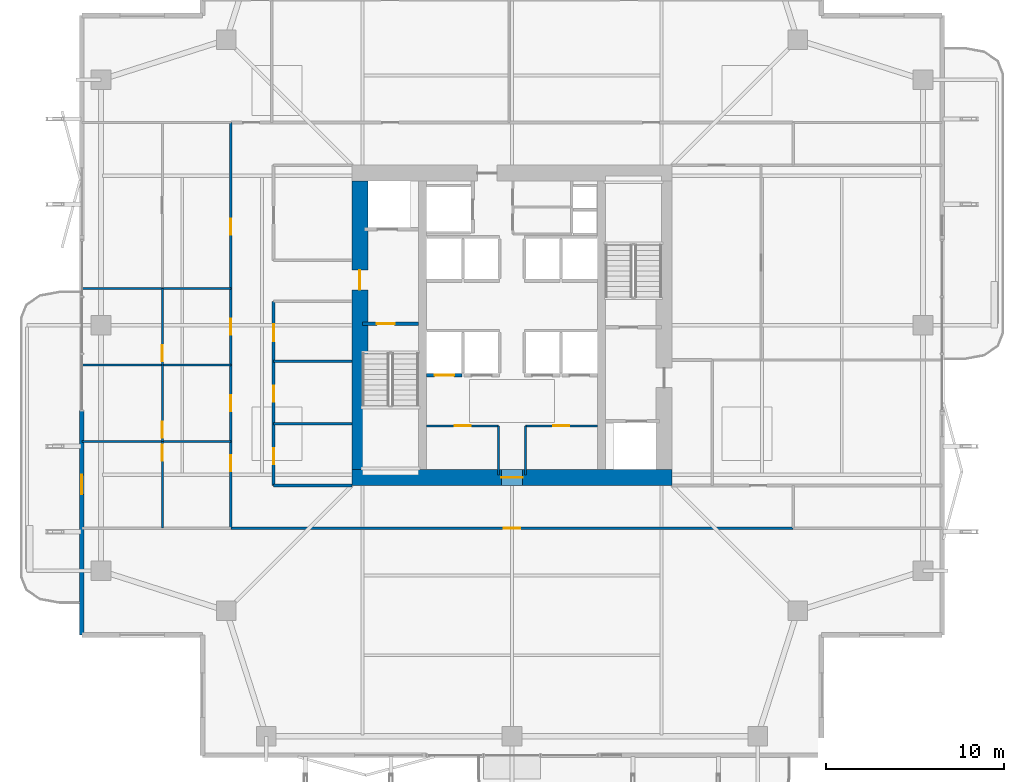
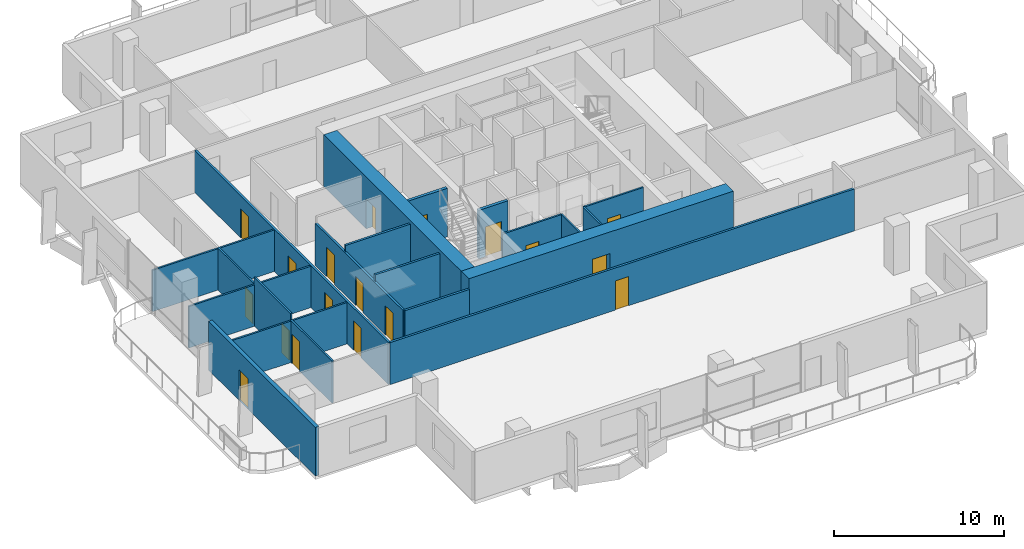
# One storey, part 18 of 25: 21 walls, 18 doors, 18 openings.
"""IFC4 building model written with IfcOpenShell, lengths in metres."""

from ifc_helpers import new_model, si_unit, direction, frame, frame_2d, origin, place, context, subcontext, project, spatial, rectangle, extrude, material, layer, layer_set, type_object, element, fill, save


model = new_model("IFC4")

# Units and contexts
model_context = context("Model", 3, precision=1e-05, world=origin(), true_north=direction((0.0, 1.0)))
body_context = subcontext(model_context, "Body", "Model", "MODEL_VIEW")
ifc_project = project(units=[si_unit("LENGTHUNIT", "METRE"), si_unit("AREAUNIT", "SQUARE_METRE"), si_unit("VOLUMEUNIT", "CUBIC_METRE"), si_unit("PLANEANGLEUNIT", "RADIAN"), si_unit("MASSUNIT", "GRAM", prefix="KILO")], contexts=[model_context])

# Site, building, storey
site_placement = place(None, origin())
site = spatial("IfcSite", under=ifc_project, at=site_placement, CompositionType="ELEMENT")
building_placement = place(site_placement, origin())
building = spatial("IfcBuilding", under=site, at=building_placement, Name="Belovzor Exchange Tower", CompositionType="ELEMENT")
storey_placement = place(building_placement, frame((0.0, 0.0, 153.300048828125)))
storey = spatial("IfcBuildingStorey", under=building, at=storey_placement, Name="L37", CompositionType="ELEMENT", Elevation=153.300048828125)

# Wall, opening, door
ifc_material_1 = material(Name="Acoustic Plasterboard on Galvanised Studs", Category="gypsum")
ifc_layer_1 = layer(ifc_material_1, 0.1201171875)
ifc_layer_set_1 = layer_set([ifc_layer_1], Name="Acoustic Plasterboard on Galvanised Studs")
wall_type_1 = type_object("IfcWallType", Name="Acoustic Double-Stud Partition Wall 120", PredefinedType="PARTITIONING", material=ifc_layer_set_1)
wall_1_placement = place(storey_placement, frame((9.14990234375, 17.39990234375, 0.0), z_axis=(0.0, 0.0, 1.0), x_axis=(0.0, 1.0, 0.0)))
wall_1 = element("IfcWall", 1, at=wall_1_placement, inside=storey, type_object=wall_type_1, Name="W-P120 Partition Wall W-L37-WHDIV-0", PredefinedType="PARTITIONING", context=body_context, shape_type="SweptSolid", body=[
    extrude(rectangle(XDim=4.882080078125, YDim=0.1201171875, at=frame_2d((2.44091796875, 0.0))), origin(), (0.0, 0.0, 1.0), 3.030029296875),
])
opening_1_placement = place(wall_1_placement, frame((3.781982421875, 0.0, 0.0)))
opening_1 = element("IfcOpeningElement", 2, at=opening_1_placement, cuts=wall_1, Name="Opening D-INT-090", PredefinedType="OPENING", context=body_context, shape_type="SweptSolid", body=[
    extrude(rectangle(XDim=0.89990234375, YDim=2.10009765625, at=frame_2d((0.449951171875, 1.050048828125))), frame((0.0, 0.070068359375, 0.0), z_axis=(0.0, -1.0, 0.0), x_axis=(1.0, 0.0, 0.0)), (0.0, 0.0, 1.0), 0.14013671875),
])
ifc_material_2 = material(Name="Veneered Hardwood Acoustic Leaf", Category="wood")
door_type_1 = type_object("IfcDoorType", Name="Trading Suite Acoustic Single Door 900x2100", OperationType="NOTDEFINED", PredefinedType="DOOR", material=ifc_material_2)
door_1_placement = place(opening_1_placement, origin())
door_1 = element("IfcDoor", 3, at=door_1_placement, inside=storey, type_object=door_type_1, Name="D-INT-090 Trading Suite Acoustic Single Door 900x2100", OperationType="SINGLE_SWING_LEFT", OverallHeight=2.10009765625, OverallWidth=0.89990234375, PredefinedType="DOOR", context=body_context, shape_type="SweptSolid", body=[
    extrude(rectangle(XDim=0.89990234375, YDim=2.10009765625, at=frame_2d((0.449951171875, 1.050048828125))), frame((0.0, 0.02490234375, 0.0), z_axis=(0.0, -1.0, 0.0), x_axis=(1.0, 0.0, 0.0)), (0.0, 0.0, 1.0), 0.050048828125),
])
fill(opening_1, door_1)

# Wall
wall_2_placement = place(storey_placement, frame((4.6298828125, 22.281982421875, 0.0), z_axis=(0.0, 0.0, 1.0), x_axis=(1.0, 0.0, 0.0)))
element("IfcWall", 4, at=wall_2_placement, inside=storey, type_object=wall_type_1, Name="W-P120 Partition Wall W-L37-WDIV-1", PredefinedType="PARTITIONING", context=body_context, shape_type="SweptSolid", body=[
    extrude(rectangle(XDim=8.3701171875, YDim=0.1201171875, at=frame_2d((4.18505859375, 0.0))), origin(), (0.0, 0.0, 1.0), 2.97998046875),
])

# Wall, opening, door
wall_3_placement = place(storey_placement, frame((9.14990234375, 22.281982421875, 0.0), z_axis=(0.0, 0.0, 1.0), x_axis=(0.0, 1.0, 0.0)))
wall_3 = element("IfcWall", 5, at=wall_3_placement, inside=storey, type_object=wall_type_1, Name="W-P120 Partition Wall W-L37-WHDIV-1", PredefinedType="PARTITIONING", context=body_context, shape_type="SweptSolid", body=[
    extrude(rectangle(XDim=4.298095703125, YDim=0.1201171875, at=frame_2d((2.14892578125, 0.0))), origin(), (0.0, 0.0, 1.0), 3.494873046875),
])
opening_2_placement = place(wall_3_placement, frame((0.199951171875, 0.0, 0.0)))
opening_2 = element("IfcOpeningElement", 6, at=opening_2_placement, cuts=wall_3, Name="Opening D-INT-090", PredefinedType="OPENING", context=body_context, shape_type="SweptSolid", body=[
    extrude(rectangle(XDim=0.89990234375, YDim=2.10009765625, at=frame_2d((0.449951171875, 1.050048828125))), frame((0.0, 0.070068359375, 0.0), z_axis=(0.0, -1.0, 0.0), x_axis=(1.0, 0.0, 0.0)), (0.0, 0.0, 1.0), 0.14013671875),
])
door_2_placement = place(opening_2_placement, origin())
door_2 = element("IfcDoor", 7, at=door_2_placement, inside=storey, type_object=door_type_1, Name="D-INT-090 Trading Suite Acoustic Single Door 900x2100", OperationType="SINGLE_SWING_LEFT", OverallHeight=2.10009765625, OverallWidth=0.89990234375, PredefinedType="DOOR", context=body_context, shape_type="SweptSolid", body=[
    extrude(rectangle(XDim=0.89990234375, YDim=2.10009765625, at=frame_2d((0.449951171875, 1.050048828125))), frame((0.0, 0.02490234375, 0.0), z_axis=(0.0, -1.0, 0.0), x_axis=(1.0, 0.0, 0.0)), (0.0, 0.0, 1.0), 0.050048828125),
])
fill(opening_2, door_2)

# Wall
wall_4_placement = place(storey_placement, frame((4.6298828125, 26.580078125, 0.0), z_axis=(0.0, 0.0, 1.0), x_axis=(1.0, 0.0, 0.0)))
element("IfcWall", 8, at=wall_4_placement, inside=storey, type_object=wall_type_1, Name="W-P120 Partition Wall W-L37-WDIV-2", PredefinedType="PARTITIONING", context=body_context, shape_type="SweptSolid", body=[
    extrude(rectangle(XDim=8.3701171875, YDim=0.1201171875, at=frame_2d((4.18505859375, 0.0))), origin(), (0.0, 0.0, 1.0), 2.97998046875),
])

# Wall, opening, door
wall_5_placement = place(storey_placement, frame((9.14990234375, 26.580078125, 0.0), z_axis=(0.0, 0.0, 1.0), x_axis=(0.0, 1.0, 0.0)))
wall_5 = element("IfcWall", 9, at=wall_5_placement, inside=storey, type_object=wall_type_1, Name="W-P120 Partition Wall W-L37-WHDIV-2", PredefinedType="PARTITIONING", context=body_context, shape_type="SweptSolid", body=[
    extrude(rectangle(XDim=4.296875, YDim=0.1201171875, at=frame_2d((2.1484375, 0.0))), origin(), (0.0, 0.0, 1.0), 3.030029296875),
])
opening_3_placement = place(wall_5_placement, frame((0.199951171875, 0.0, 0.0)))
opening_3 = element("IfcOpeningElement", 10, at=opening_3_placement, cuts=wall_5, Name="Opening D-INT-090", PredefinedType="OPENING", context=body_context, shape_type="SweptSolid", body=[
    extrude(rectangle(XDim=0.89990234375, YDim=2.10009765625, at=frame_2d((0.449951171875, 1.050048828125))), frame((0.0, 0.070068359375, 0.0), z_axis=(0.0, -1.0, 0.0), x_axis=(1.0, 0.0, 0.0)), (0.0, 0.0, 1.0), 0.14013671875),
])
door_3_placement = place(opening_3_placement, origin())
door_3 = element("IfcDoor", 11, at=door_3_placement, inside=storey, type_object=door_type_1, Name="D-INT-090 Trading Suite Acoustic Single Door 900x2100", OperationType="SINGLE_SWING_LEFT", OverallHeight=2.10009765625, OverallWidth=0.89990234375, PredefinedType="DOOR", context=body_context, shape_type="SweptSolid", body=[
    extrude(rectangle(XDim=0.89990234375, YDim=2.10009765625, at=frame_2d((0.449951171875, 1.050048828125))), frame((0.0, 0.02490234375, 0.0), z_axis=(0.0, -1.0, 0.0), x_axis=(1.0, 0.0, 0.0)), (0.0, 0.0, 1.0), 0.050048828125),
])
fill(opening_3, door_3)

# Wall
wall_6_placement = place(storey_placement, frame((4.6298828125, 30.876953125, 0.0), z_axis=(0.0, 0.0, 1.0), x_axis=(1.0, 0.0, 0.0)))
element("IfcWall", 12, at=wall_6_placement, inside=storey, type_object=wall_type_1, Name="W-P120 Partition Wall W-L37-WDIV-3", PredefinedType="PARTITIONING", context=body_context, shape_type="SweptSolid", body=[
    extrude(rectangle(XDim=8.3701171875, YDim=0.1201171875, at=frame_2d((4.18505859375, 0.0))), origin(), (0.0, 0.0, 1.0), 2.97998046875),
])

# Wall, opening, door
ifc_material_3 = material(Name="Fire-Rated Plasterboard on Galvanised Studs", Category="gypsum")
ifc_layer_2 = layer(ifc_material_3, 0.1201171875)
ifc_layer_set_2 = layer_set([ifc_layer_2], Name="Fire-Rated Plasterboard on Galvanised Studs")
wall_type_2 = type_object("IfcWallType", Name="Fire-Rated Double-Stud Partition Wall 120", PredefinedType="PARTITIONING", material=ifc_layer_set_2)
wall_7_placement = place(storey_placement, frame((24.0, 23.14990234375, 0.0), z_axis=(0.0, 0.0, 1.0), x_axis=(1.0, 0.0, 0.0)))
wall_7 = element("IfcWall", 13, at=wall_7_placement, inside=storey, type_object=wall_type_2, Name="W-P120F Partition Wall W-CRL-L37-WN", PredefinedType="PARTITIONING", context=body_context, shape_type="SweptSolid", body=[
    extrude(rectangle(XDim=4.050048828125, YDim=0.1201171875, at=frame_2d((2.02490234375, 0.0))), origin(), (0.0, 0.0, 1.0), 3.494873046875),
])
opening_4_placement = place(wall_7_placement, frame((1.574951171875, 0.0, 0.0)))
opening_4 = element("IfcOpeningElement", 14, at=opening_4_placement, cuts=wall_7, Name="Opening D-FD60-090", PredefinedType="OPENING", context=body_context, shape_type="SweptSolid", body=[
    extrude(rectangle(XDim=0.89990234375, YDim=2.10009765625, at=frame_2d((0.449951171875, 1.050048828125))), frame((0.0, 0.070068359375, 0.0), z_axis=(0.0, -1.0, 0.0), x_axis=(1.0, 0.0, 0.0)), (0.0, 0.0, 1.0), 0.14013671875),
])
ifc_material_4 = material(Name="Acoustic Timber Fire Leaf", Category="wood")
door_type_2 = type_object("IfcDoorType", Name="Core Service & Restroom Fire Door 900x2100", OperationType="NOTDEFINED", PredefinedType="DOOR", material=ifc_material_4)
door_4_placement = place(opening_4_placement, origin())
door_4 = element("IfcDoor", 15, at=door_4_placement, inside=storey, type_object=door_type_2, Name="D-FD60-090 Core Service & Restroom Fire Door 900x2100", OperationType="SINGLE_SWING_LEFT", OverallHeight=2.10009765625, OverallWidth=0.89990234375, PredefinedType="DOOR", context=body_context, shape_type="SweptSolid", body=[
    extrude(rectangle(XDim=0.89990234375, YDim=2.10009765625, at=frame_2d((0.449951171875, 1.050048828125))), frame((0.0, 0.02490234375, 0.0), z_axis=(0.0, -1.0, 0.0), x_axis=(1.0, 0.0, 0.0)), (0.0, 0.0, 1.0), 0.050048828125),
])
fill(opening_4, door_4)

# Wall
wall_8_placement = place(storey_placement, frame((28.050048828125, 20.39990234375, 0.0), z_axis=(0.0, 0.0, 1.0), x_axis=(0.0, 1.0, 0.0)))
element("IfcWall", 16, at=wall_8_placement, inside=storey, type_object=wall_type_2, Name="W-P120F Partition Wall W-CRL-L37-WE", PredefinedType="PARTITIONING", context=body_context, shape_type="SweptSolid", body=[
    extrude(rectangle(XDim=2.75, YDim=0.1201171875, at=frame_2d((1.375, 0.0))), origin(), (0.0, 0.0, 1.0), 3.494873046875),
])

# Wall, opening, door
wall_9_placement = place(storey_placement, frame((29.550048828125, 23.14990234375, 0.0), z_axis=(0.0, 0.0, 1.0), x_axis=(1.0, 0.0, 0.0)))
wall_9 = element("IfcWall", 17, at=wall_9_placement, inside=storey, type_object=wall_type_2, Name="W-P120F Partition Wall W-CRL-L37-EN", PredefinedType="PARTITIONING", context=body_context, shape_type="SweptSolid", body=[
    extrude(rectangle(XDim=4.050048828125, YDim=0.1201171875, at=frame_2d((2.02490234375, 0.0))), origin(), (0.0, 0.0, 1.0), 3.494873046875),
])
opening_5_placement = place(wall_9_placement, frame((1.574951171875, 0.0, 0.0)))
opening_5 = element("IfcOpeningElement", 18, at=opening_5_placement, cuts=wall_9, Name="Opening D-FD60-090", PredefinedType="OPENING", context=body_context, shape_type="SweptSolid", body=[
    extrude(rectangle(XDim=0.89990234375, YDim=2.10009765625, at=frame_2d((0.449951171875, 1.050048828125))), frame((0.0, 0.070068359375, 0.0), z_axis=(0.0, -1.0, 0.0), x_axis=(1.0, 0.0, 0.0)), (0.0, 0.0, 1.0), 0.14013671875),
])
door_5_placement = place(opening_5_placement, origin())
door_5 = element("IfcDoor", 19, at=door_5_placement, inside=storey, type_object=door_type_2, Name="D-FD60-090 Core Service & Restroom Fire Door 900x2100", OperationType="SINGLE_SWING_RIGHT", OverallHeight=2.10009765625, OverallWidth=0.89990234375, PredefinedType="DOOR", context=body_context, shape_type="SweptSolid", body=[
    extrude(rectangle(XDim=0.89990234375, YDim=2.10009765625, at=frame_2d((0.449951171875, 1.050048828125))), frame((0.0, 0.02490234375, 0.0), z_axis=(0.0, -1.0, 0.0), x_axis=(1.0, 0.0, 0.0)), (0.0, 0.0, 1.0), 0.050048828125),
])
fill(opening_5, door_5)

# Walls
wall_10_placement = place(storey_placement, frame((29.550048828125, 20.39990234375, 0.0), z_axis=(0.0, 0.0, 1.0), x_axis=(0.0, 1.0, 0.0)))
element("IfcWall", 20, at=wall_10_placement, inside=storey, type_object=wall_type_2, Name="W-P120F Partition Wall W-CRL-L37-EW", PredefinedType="PARTITIONING", context=body_context, shape_type="SweptSolid", body=[
    extrude(rectangle(XDim=2.75, YDim=0.1201171875, at=frame_2d((1.375, 0.0))), origin(), (0.0, 0.0, 1.0), 3.494873046875),
])
ifc_material_5 = material(Name="Fire-Rated Gypsum Block and Mineral Wool", Category="gypsum")
ifc_layer_3 = layer(ifc_material_5, 0.14990234375)
ifc_layer_set_3 = layer_set([ifc_layer_3], Name="Fire-Rated Gypsum Block and Mineral Wool")
wall_type_3 = type_object("IfcWallType", Name="Fire-Rated Gypsum Block Corridor Wall 150", PredefinedType="PARTITIONING", material=ifc_layer_set_3)
wall_11_placement = place(storey_placement, frame((15.39990234375, 19.800048828125, 0.0), z_axis=(0.0, 0.0, 1.0), x_axis=(1.0, 0.0, 0.0)))
element("IfcWall", 21, at=wall_11_placement, inside=storey, type_object=wall_type_3, Name="W-P150 Partition Wall W-L37-WIC-S", PredefinedType="PARTITIONING", context=body_context, shape_type="SweptSolid", body=[
    extrude(rectangle(XDim=4.400146484375, YDim=0.14990234375, at=frame_2d((2.2001953125, 0.0))), origin(), (0.0, 0.0, 1.0), 3.030029296875),
])
for number, where, z_axis, x_axis, name in (
    (22, (15.39990234375, 23.27490234375, 0.0), (0.0, 0.0, 1.0), (1.0, 0.0, 0.0), "W-P150 Partition Wall W-L37-WIC-D1"),
    (23, (15.39990234375, 26.77490234375, 0.0), (0.0, 0.0, 1.0), (1.0, 0.0, 0.0), "W-P150 Partition Wall W-L37-WIC-D2"),
):
    element("IfcWall", number, at=place(storey_placement, frame(where, z_axis=z_axis, x_axis=x_axis)), inside=storey, type_object=wall_type_3, Name=name, PredefinedType="PARTITIONING", context=body_context, shape_type="SweptSolid", body=[
        extrude(rectangle(XDim=4.400146484375, YDim=0.14990234375, at=frame_2d((2.2001953125, 0.0))), origin(), (0.0, 0.0, 1.0), 3.494873046875),
    ])

# Wall, openings, doors
wall_12_placement = place(storey_placement, frame((15.39990234375, 19.800048828125, 0.0), z_axis=(0.0, 0.0, 1.0), x_axis=(0.0, 1.0, 0.0)))
wall_12 = element("IfcWall", 24, at=wall_12_placement, inside=storey, type_object=wall_type_3, Name="W-P150 Partition Wall W-L37-WIE-S", PredefinedType="PARTITIONING", context=body_context, shape_type="SweptSolid", body=[
    extrude(rectangle(XDim=10.349853515625, YDim=0.14990234375, at=frame_2d((5.1748046875, 0.0))), origin(), (0.0, 0.0, 1.0), 3.030029296875),
])
opening_6_placement = place(wall_12_placement, frame((1.199951171875, 0.0, 0.0)))
opening_6 = element("IfcOpeningElement", 25, at=opening_6_placement, cuts=wall_12, Name="Opening D-FD60-090", PredefinedType="OPENING", context=body_context, shape_type="SweptSolid", body=[
    extrude(rectangle(XDim=0.89990234375, YDim=2.10009765625, at=frame_2d((0.449951171875, 1.050048828125))), frame((0.0, 0.0849609375, 0.0), z_axis=(0.0, -1.0, 0.0), x_axis=(1.0, 0.0, 0.0)), (0.0, 0.0, 1.0), 0.169921875),
])
opening_7_placement = place(wall_12_placement, frame((4.699951171875, 0.0, 0.0)))
opening_7 = element("IfcOpeningElement", 26, at=opening_7_placement, cuts=wall_12, Name="Opening D-FD60-090", PredefinedType="OPENING", context=body_context, shape_type="SweptSolid", body=[
    extrude(rectangle(XDim=0.89990234375, YDim=2.10009765625, at=frame_2d((0.449951171875, 1.050048828125))), frame((0.0, 0.0849609375, 0.0), z_axis=(0.0, -1.0, 0.0), x_axis=(1.0, 0.0, 0.0)), (0.0, 0.0, 1.0), 0.169921875),
])
opening_8_placement = place(wall_12_placement, frame((8.10009765625, 0.0, 0.0)))
opening_8 = element("IfcOpeningElement", 27, at=opening_8_placement, cuts=wall_12, Name="Opening D-FD60-095", PredefinedType="OPENING", context=body_context, shape_type="SweptSolid", body=[
    extrude(rectangle(XDim=0.949951171875, YDim=2.10009765625, at=frame_2d((0.47509765625, 1.050048828125))), frame((0.0, 0.0849609375, 0.0), z_axis=(0.0, -1.0, 0.0), x_axis=(1.0, 0.0, 0.0)), (0.0, 0.0, 1.0), 0.169921875),
])
ifc_material_6 = material(Name="Moisture-Resistant Timber Fire Leaf", Category="wood")
door_type_3 = type_object("IfcDoorType", Name="Accessible Restroom Wide Fire Door 950x2100", OperationType="NOTDEFINED", PredefinedType="DOOR", material=ifc_material_6)
door_6_placement = place(opening_8_placement, origin())
door_6 = element("IfcDoor", 28, at=door_6_placement, inside=storey, type_object=door_type_3, Name="D-FD60-095 Accessible Restroom Wide Fire Door 950x2100", OperationType="SINGLE_SWING_LEFT", OverallHeight=2.10009765625, OverallWidth=0.949951171875, PredefinedType="DOOR", context=body_context, shape_type="SweptSolid", body=[
    extrude(rectangle(XDim=0.949951171875, YDim=2.10009765625, at=frame_2d((0.47509765625, 1.050048828125))), frame((0.0, 0.02490234375, 0.0), z_axis=(0.0, -1.0, 0.0), x_axis=(1.0, 0.0, 0.0)), (0.0, 0.0, 1.0), 0.050048828125),
])
fill(opening_8, door_6)
door_7_placement = place(opening_6_placement, origin())
door_7 = element("IfcDoor", 29, at=door_7_placement, inside=storey, type_object=door_type_2, Name="D-FD60-090 Core Service & Restroom Fire Door 900x2100", OperationType="SINGLE_SWING_LEFT", OverallHeight=2.10009765625, OverallWidth=0.89990234375, PredefinedType="DOOR", context=body_context, shape_type="SweptSolid", body=[
    extrude(rectangle(XDim=0.89990234375, YDim=2.10009765625, at=frame_2d((0.449951171875, 1.050048828125))), frame((0.0, 0.02490234375, 0.0), z_axis=(0.0, -1.0, 0.0), x_axis=(1.0, 0.0, 0.0)), (0.0, 0.0, 1.0), 0.050048828125),
])
fill(opening_6, door_7)
door_8_placement = place(opening_7_placement, origin())
door_8 = element("IfcDoor", 30, at=door_8_placement, inside=storey, type_object=door_type_2, Name="D-FD60-090 Core Service & Restroom Fire Door 900x2100", OperationType="SINGLE_SWING_RIGHT", OverallHeight=2.10009765625, OverallWidth=0.89990234375, PredefinedType="DOOR", context=body_context, shape_type="SweptSolid", body=[
    extrude(rectangle(XDim=0.89990234375, YDim=2.10009765625, at=frame_2d((0.449951171875, 1.050048828125))), frame((0.0, 0.02490234375, 0.0), z_axis=(0.0, -1.0, 0.0), x_axis=(1.0, 0.0, 0.0)), (0.0, 0.0, 1.0), 0.050048828125),
])
fill(opening_7, door_8)

# Wall, opening, door
wall_13_placement = place(storey_placement, frame((13.0, 17.39990234375, 0.0), z_axis=(0.0, 0.0, 1.0), x_axis=(1.0, 0.0, 0.0)))
wall_13 = element("IfcWall", 31, at=wall_13_placement, inside=storey, type_object=wall_type_3, Name="W-P150 Partition Wall W-L37-CS", PredefinedType="PARTITIONING", context=body_context, shape_type="SweptSolid", body=[
    extrude(rectangle(XDim=31.60009765625, YDim=0.14990234375, at=frame_2d((15.800048828125, 0.0))), origin(), (0.0, 0.0, 1.0), 3.030029296875),
])
opening_9_placement = place(wall_13_placement, frame((15.35009765625, 0.0, 0.0)))
opening_9 = element("IfcOpeningElement", 32, at=opening_9_placement, cuts=wall_13, Name="Opening D-INT-090", PredefinedType="OPENING", context=body_context, shape_type="SweptSolid", body=[
    extrude(rectangle(XDim=0.89990234375, YDim=2.10009765625, at=frame_2d((0.449951171875, 1.050048828125))), frame((0.0, 0.0849609375, 0.0), z_axis=(0.0, -1.0, 0.0), x_axis=(1.0, 0.0, 0.0)), (0.0, 0.0, 1.0), 0.169921875),
])
door_9_placement = place(opening_9_placement, origin())
door_9 = element("IfcDoor", 33, at=door_9_placement, inside=storey, type_object=door_type_1, Name="D-INT-090 Trading Suite Acoustic Single Door 900x2100", OperationType="SINGLE_SWING_LEFT", OverallHeight=2.10009765625, OverallWidth=0.89990234375, PredefinedType="DOOR", context=body_context, shape_type="SweptSolid", body=[
    extrude(rectangle(XDim=0.89990234375, YDim=2.10009765625, at=frame_2d((0.449951171875, 1.050048828125))), frame((0.0, 0.02490234375, 0.0), z_axis=(0.0, -1.0, 0.0), x_axis=(1.0, 0.0, 0.0)), (0.0, 0.0, 1.0), 0.050048828125),
])
fill(opening_9, door_9)

# Wall, openings, doors
wall_14_placement = place(storey_placement, frame((13.0, 17.39990234375, 0.0), z_axis=(0.0, 0.0, 1.0), x_axis=(0.0, 1.0, 0.0)))
wall_14 = element("IfcWall", 34, at=wall_14_placement, inside=storey, type_object=wall_type_3, Name="W-P150 Partition Wall W-L37-CWO", PredefinedType="PARTITIONING", context=body_context, shape_type="SweptSolid", body=[
    extrude(rectangle(XDim=22.800048828125, YDim=0.14990234375, at=frame_2d((11.39990234375, 0.0))), origin(), (0.0, 0.0, 1.0), 3.030029296875),
])
opening_10_placement = place(wall_14_placement, frame((3.19091796875, 0.0, 0.0)))
opening_10 = element("IfcOpeningElement", 35, at=opening_10_placement, cuts=wall_14, Name="Opening D-INT-090", PredefinedType="OPENING", context=body_context, shape_type="SweptSolid", body=[
    extrude(rectangle(XDim=0.89990234375, YDim=2.10009765625, at=frame_2d((0.449951171875, 1.050048828125))), frame((0.0, 0.0849609375, 0.0), z_axis=(0.0, -1.0, 0.0), x_axis=(1.0, 0.0, 0.0)), (0.0, 0.0, 1.0), 0.169921875),
])
opening_11_placement = place(wall_14_placement, frame((6.5810546875, 0.0, 0.0)))
opening_11 = element("IfcOpeningElement", 36, at=opening_11_placement, cuts=wall_14, Name="Opening D-INT-090", PredefinedType="OPENING", context=body_context, shape_type="SweptSolid", body=[
    extrude(rectangle(XDim=0.89990234375, YDim=2.10009765625, at=frame_2d((0.449951171875, 1.050048828125))), frame((0.0, 0.0849609375, 0.0), z_axis=(0.0, -1.0, 0.0), x_axis=(1.0, 0.0, 0.0)), (0.0, 0.0, 1.0), 0.169921875),
])
opening_12_placement = place(wall_14_placement, frame((10.8779296875, 0.0, 0.0)))
opening_12 = element("IfcOpeningElement", 37, at=opening_12_placement, cuts=wall_14, Name="Opening D-INT-090", PredefinedType="OPENING", context=body_context, shape_type="SweptSolid", body=[
    extrude(rectangle(XDim=0.89990234375, YDim=2.10009765625, at=frame_2d((0.449951171875, 1.050048828125))), frame((0.0, 0.0849609375, 0.0), z_axis=(0.0, -1.0, 0.0), x_axis=(1.0, 0.0, 0.0)), (0.0, 0.0, 1.0), 0.169921875),
])
opening_13_placement = place(wall_14_placement, frame((16.488037109375, 0.0, 0.0)))
opening_13 = element("IfcOpeningElement", 38, at=opening_13_placement, cuts=wall_14, Name="Opening D-INT-090", PredefinedType="OPENING", context=body_context, shape_type="SweptSolid", body=[
    extrude(rectangle(XDim=0.89990234375, YDim=2.10009765625, at=frame_2d((0.449951171875, 1.050048828125))), frame((0.0, 0.0849609375, 0.0), z_axis=(0.0, -1.0, 0.0), x_axis=(1.0, 0.0, 0.0)), (0.0, 0.0, 1.0), 0.169921875),
])
door_10_placement = place(opening_10_placement, origin())
door_10 = element("IfcDoor", 39, at=door_10_placement, inside=storey, type_object=door_type_1, Name="D-INT-090 Trading Suite Acoustic Single Door 900x2100", OperationType="SINGLE_SWING_LEFT", OverallHeight=2.10009765625, OverallWidth=0.89990234375, PredefinedType="DOOR", context=body_context, shape_type="SweptSolid", body=[
    extrude(rectangle(XDim=0.89990234375, YDim=2.10009765625, at=frame_2d((0.449951171875, 1.050048828125))), frame((0.0, 0.02490234375, 0.0), z_axis=(0.0, -1.0, 0.0), x_axis=(1.0, 0.0, 0.0)), (0.0, 0.0, 1.0), 0.050048828125),
])
fill(opening_10, door_10)
door_11_placement = place(opening_11_placement, origin())
door_11 = element("IfcDoor", 40, at=door_11_placement, inside=storey, type_object=door_type_1, Name="D-INT-090 Trading Suite Acoustic Single Door 900x2100", OperationType="SINGLE_SWING_LEFT", OverallHeight=2.10009765625, OverallWidth=0.89990234375, PredefinedType="DOOR", context=body_context, shape_type="SweptSolid", body=[
    extrude(rectangle(XDim=0.89990234375, YDim=2.10009765625, at=frame_2d((0.449951171875, 1.050048828125))), frame((0.0, 0.02490234375, 0.0), z_axis=(0.0, -1.0, 0.0), x_axis=(1.0, 0.0, 0.0)), (0.0, 0.0, 1.0), 0.050048828125),
])
fill(opening_11, door_11)
door_12_placement = place(opening_12_placement, origin())
door_12 = element("IfcDoor", 41, at=door_12_placement, inside=storey, type_object=door_type_1, Name="D-INT-090 Trading Suite Acoustic Single Door 900x2100", OperationType="SINGLE_SWING_LEFT", OverallHeight=2.10009765625, OverallWidth=0.89990234375, PredefinedType="DOOR", context=body_context, shape_type="SweptSolid", body=[
    extrude(rectangle(XDim=0.89990234375, YDim=2.10009765625, at=frame_2d((0.449951171875, 1.050048828125))), frame((0.0, 0.02490234375, 0.0), z_axis=(0.0, -1.0, 0.0), x_axis=(1.0, 0.0, 0.0)), (0.0, 0.0, 1.0), 0.050048828125),
])
fill(opening_12, door_12)
door_13_placement = place(opening_13_placement, origin())
door_13 = element("IfcDoor", 42, at=door_13_placement, inside=storey, type_object=door_type_1, Name="D-INT-090 Trading Suite Acoustic Single Door 900x2100", OperationType="SINGLE_SWING_LEFT", OverallHeight=2.10009765625, OverallWidth=0.89990234375, PredefinedType="DOOR", context=body_context, shape_type="SweptSolid", body=[
    extrude(rectangle(XDim=0.89990234375, YDim=2.10009765625, at=frame_2d((0.449951171875, 1.050048828125))), frame((0.0, 0.02490234375, 0.0), z_axis=(0.0, -1.0, 0.0), x_axis=(1.0, 0.0, 0.0)), (0.0, 0.0, 1.0), 0.050048828125),
])
fill(opening_13, door_13)

# Wall, opening, door
ifc_material_7 = material(Name="Precast concrete C40/50", Category="concrete")
ifc_layer_4 = layer(ifc_material_7, 0.260009765625)
ifc_layer_set_4 = layer_set([ifc_layer_4], Name="Precast concrete C40/50")
wall_type_4 = type_object("IfcWallType", Name="Precast Concrete Perimeter Loggia Frame Wall 260", PredefinedType="SOLIDWALL", material=ifc_layer_set_4)
wall_15_placement = place(storey_placement, frame((4.6298828125, 11.39990234375, 0.0), z_axis=(0.0, 0.0, 1.0), x_axis=(0.0, 1.0, 0.0)))
wall_15 = element("IfcWall", 43, at=wall_15_placement, inside=storey, type_object=wall_type_4, Name="W-EXT260 Precast Concrete Perimeter Loggia Frame Wall 260 L37", PredefinedType="SOLIDWALL", context=body_context, shape_type="SweptSolid", body=[
    extrude(rectangle(XDim=12.60009765625, YDim=0.260009765625, at=frame_2d((6.300048828125, 0.0))), origin(), (0.0, 0.0, 1.0), 3.494873046875),
])
opening_14_placement = place(wall_15_placement, frame((7.90087890625, 0.0, 0.0)))
opening_14 = element("IfcOpeningElement", 44, at=opening_14_placement, cuts=wall_15, Name="Opening D-BAL110", PredefinedType="OPENING", context=body_context, shape_type="SweptSolid", body=[
    extrude(rectangle(XDim=1.10009765625, YDim=2.199951171875, at=frame_2d((0.550048828125, 1.10009765625))), frame((0.0, 0.139892578125, 0.0), z_axis=(0.0, -1.0, 0.0), x_axis=(1.0, 0.0, 0.0)), (0.0, 0.0, 1.0), 0.280029296875),
])
ifc_material_8 = material(Name="Thermally Broken Anodised Aluminium and Laminated Glass", Category="aluminium")
door_type_4 = type_object("IfcDoorType", Name="Planted Loggia Terrace Glazed Door 1100x2200", OperationType="SINGLE_SWING_LEFT", PredefinedType="DOOR", material=ifc_material_8)
door_14_placement = place(opening_14_placement, origin())
door_14 = element("IfcDoor", 45, at=door_14_placement, inside=storey, type_object=door_type_4, Name="D-BAL110 Balcony Terrace Door L37 W", OperationType="SINGLE_SWING_RIGHT", OverallHeight=2.199951171875, OverallWidth=1.10009765625, PredefinedType="DOOR", context=body_context, shape_type="SweptSolid", body=[
    extrude(rectangle(XDim=1.10009765625, YDim=2.199951171875, at=frame_2d((0.550048828125, 1.10009765625))), frame((0.0, 0.02490234375, 0.0), z_axis=(0.0, -1.0, 0.0), x_axis=(1.0, 0.0, 0.0)), (0.0, 0.0, 1.0), 0.050048828125),
])
fill(opening_14, door_14)

ifc_material_9 = material(Name="Concrete C50/60", Category="concrete")
ifc_layer_5 = layer(ifc_material_9, 0.199951171875)
ifc_layer_set_5 = layer_set([ifc_layer_5], Name="Concrete C50/60")
wall_type_5 = type_object("IfcWallType", Name="Reinforced Concrete Core Shaft Shear Wall 200", PredefinedType="SHEAR", material=ifc_layer_set_5)
wall_16_placement = place(storey_placement, frame((20.39990234375, 28.89990234375, 0.0), z_axis=(0.0, 0.0, 1.0), x_axis=(1.0, 0.0, 0.0)))
wall_16 = element("IfcWall", 46, at=wall_16_placement, inside=storey, type_object=wall_type_5, Name="W-C200S Core Shaft Wall W-CORE-L37-FFLW1", PredefinedType="SHEAR", context=body_context, shape_type="SweptSolid", body=[
    extrude(rectangle(XDim=3.150146484375, YDim=0.199951171875, at=frame_2d((1.5751953125, 0.0))), origin(), (0.0, 0.0, 1.0), 3.494873046875),
])
opening_15_placement = place(wall_16_placement, frame((0.800048828125, 0.0, 0.0)))
opening_15 = element("IfcOpeningElement", 47, at=opening_15_placement, cuts=wall_16, Name="Opening D-FD90-100", PredefinedType="OPENING", context=body_context, shape_type="SweptSolid", body=[
    extrude(rectangle(XDim=1.0, YDim=2.10009765625, at=frame_2d((0.5, 1.050048828125))), frame((0.0, 0.10986328125, 0.0), z_axis=(0.0, -1.0, 0.0), x_axis=(1.0, 0.0, 0.0)), (0.0, 0.0, 1.0), 0.219970703125),
])
ifc_material_10 = material(Name="Fire-Rated Galvanised Steel Leaf", Category="steel")
door_type_5 = type_object("IfcDoorType", Name="Protected Stairwell Single Fire Door 1000x2100", OperationType="NOTDEFINED", PredefinedType="DOOR", material=ifc_material_10)
door_15_placement = place(opening_15_placement, origin())
door_15 = element("IfcDoor", 48, at=door_15_placement, inside=storey, type_object=door_type_5, Name="D-FD90-100 Protected Stairwell Single Fire Door 1000x2100", OperationType="SINGLE_SWING_RIGHT", OverallHeight=2.10009765625, OverallWidth=1.0, PredefinedType="DOOR", context=body_context, shape_type="SweptSolid", body=[
    extrude(rectangle(XDim=1.0, YDim=2.10009765625, at=frame_2d((0.5, 1.050048828125))), frame((0.0, 0.02490234375, 0.0), z_axis=(0.0, -1.0, 0.0), x_axis=(1.0, 0.0, 0.0)), (0.0, 0.0, 1.0), 0.050048828125),
])
fill(opening_15, door_15)

wall_17_placement = place(storey_placement, frame((24.0, 26.0, 0.0), z_axis=(0.0, 0.0, 1.0), x_axis=(1.0, 0.0, 0.0)))
wall_17 = element("IfcWall", 49, at=wall_17_placement, inside=storey, type_object=wall_type_5, Name="W-C200S Core Shaft Wall W-SH-L37-PL-M1", PredefinedType="SHEAR", context=body_context, shape_type="SweptSolid", body=[
    extrude(rectangle(XDim=2.0, YDim=0.199951171875, at=frame_2d((1.0, 0.0))), origin(), (0.0, 0.0, 1.0), 3.494873046875),
])
opening_16_placement = place(wall_17_placement, frame((0.449951171875, 0.0, 0.0)))
opening_16 = element("IfcOpeningElement", 50, at=opening_16_placement, cuts=wall_17, Name="Opening LD-110", PredefinedType="OPENING", context=body_context, shape_type="SweptSolid", body=[
    extrude(rectangle(XDim=1.10009765625, YDim=2.14990234375, at=frame_2d((0.550048828125, 1.074951171875))), frame((0.0, 0.10986328125, 0.0), z_axis=(0.0, -1.0, 0.0), x_axis=(1.0, 0.0, 0.0)), (0.0, 0.0, 1.0), 0.219970703125),
])
ifc_material_11 = material(Name="Stainless Steel Grade 304", Category="steel")
door_type_6 = type_object("IfcDoorType", Name="Automated Stainless Steel Lift Landing Door 1100x2150", OperationType="SLIDING_TO_RIGHT", PredefinedType="DOOR", material=ifc_material_11)
door_16_placement = place(opening_16_placement, origin())
door_16 = element("IfcDoor", 51, at=door_16_placement, inside=storey, type_object=door_type_6, Name="LD-110 Automated Stainless Steel Lift Landing Door 1100x2150", OperationType="SLIDING_TO_RIGHT", OverallHeight=2.14990234375, OverallWidth=1.10009765625, PredefinedType="DOOR", context=body_context, shape_type="SweptSolid", body=[
    extrude(rectangle(XDim=1.10009765625, YDim=2.14990234375, at=frame_2d((0.550048828125, 1.074951171875))), frame((0.0, 0.02490234375, 0.0), z_axis=(0.0, -1.0, 0.0), x_axis=(1.0, 0.0, 0.0)), (0.0, 0.0, 1.0), 0.050048828125),
])
fill(opening_16, door_16)

ifc_material_12 = material(Name="Concrete C60/75", Category="concrete")
ifc_layer_6 = layer(ifc_material_12, 0.89990234375)
ifc_layer_set_6 = layer_set([ifc_layer_6], Name="Concrete C60/75")
wall_type_6 = type_object("IfcWallType", Name="Reinforced Concrete Core Shear Wall 900", PredefinedType="SHEAR", material=ifc_layer_set_6)
wall_18_placement = place(storey_placement, frame((19.800048828125, 20.25, 0.0), z_axis=(0.0, 0.0, 1.0), x_axis=(1.0, 0.0, 0.0)))
wall_18 = element("IfcWall", 52, at=wall_18_placement, inside=storey, type_object=wall_type_6, Name="CW-S090 Core Shear Wall L37 S", PredefinedType="SHEAR", context=body_context, shape_type="SweptSolid", body=[
    extrude(rectangle(XDim=18.0, YDim=0.89990234375, at=frame_2d((9.0, 0.0))), origin(), (0.0, 0.0, 1.0), 3.75),
])
opening_17_placement = place(wall_18_placement, frame((8.39990234375, 0.0, 0.0)))
opening_17 = element("IfcOpeningElement", 53, at=opening_17_placement, cuts=wall_18, Name="Opening D-FD90-120", PredefinedType="OPENING", context=body_context, shape_type="SweptSolid", body=[
    extrude(rectangle(XDim=1.199951171875, YDim=2.199951171875, at=frame_2d((0.60009765625, 1.10009765625))), frame((0.0, 0.4599609375, 0.0), z_axis=(0.0, -1.0, 0.0), x_axis=(1.0, 0.0, 0.0)), (0.0, 0.0, 1.0), 0.919921875),
])
ifc_material_13 = material(Name="Fire-Rated Galvanised Steel Leaf", Category="steel")
door_type_7 = type_object("IfcDoorType", Name="Heavy Plant & Foyer Fire Door 1200x2200", OperationType="NOTDEFINED", PredefinedType="DOOR", material=ifc_material_13)
door_17_placement = place(opening_17_placement, origin())
door_17 = element("IfcDoor", 54, at=door_17_placement, inside=storey, type_object=door_type_7, Name="D-FD90-120 Heavy Plant & Foyer Fire Door 1200x2200", OperationType="SINGLE_SWING_LEFT", OverallHeight=2.199951171875, OverallWidth=1.199951171875, PredefinedType="DOOR", context=body_context, shape_type="SweptSolid", body=[
    extrude(rectangle(XDim=1.199951171875, YDim=2.199951171875, at=frame_2d((0.60009765625, 1.10009765625))), frame((0.0, 0.02490234375, 0.0), z_axis=(0.0, -1.0, 0.0), x_axis=(1.0, 0.0, 0.0)), (0.0, 0.0, 1.0), 0.050048828125),
])
fill(opening_17, door_17)

wall_19_placement = place(storey_placement, frame((20.25, 20.699951171875, 0.0), z_axis=(0.0, 0.0, 1.0), x_axis=(0.0, 1.0, 0.0)))
wall_19 = element("IfcWall", 55, at=wall_19_placement, inside=storey, type_object=wall_type_6, Name="CW-S090 Core Shear Wall L37 W", PredefinedType="SHEAR", context=body_context, shape_type="SweptSolid", body=[
    extrude(rectangle(XDim=16.199951171875, YDim=0.89990234375, at=frame_2d((8.10009765625, 0.0))), origin(), (0.0, 0.0, 1.0), 3.75),
])
opening_18_placement = place(wall_19_placement, frame((10.10009765625, 0.0, 0.0)))
opening_18 = element("IfcOpeningElement", 56, at=opening_18_placement, cuts=wall_19, Name="Opening D-FD90-110", PredefinedType="OPENING", context=body_context, shape_type="SweptSolid", body=[
    extrude(rectangle(XDim=1.10009765625, YDim=2.14990234375, at=frame_2d((0.550048828125, 1.074951171875))), frame((0.0, 0.4599609375, 0.0), z_axis=(0.0, -1.0, 0.0), x_axis=(1.0, 0.0, 0.0)), (0.0, 0.0, 1.0), 0.919921875),
])
ifc_material_14 = material(Name="Fire-Rated Galvanised Steel Leaf", Category="steel")
door_type_8 = type_object("IfcDoorType", Name="Protected Escape Vestibule Fire Door 1100x2150", OperationType="NOTDEFINED", PredefinedType="DOOR", material=ifc_material_14)
door_18_placement = place(opening_18_placement, origin())
door_18 = element("IfcDoor", 57, at=door_18_placement, inside=storey, type_object=door_type_8, Name="D-FD90-110 Protected Escape Vestibule Fire Door 1100x2150", OperationType="SINGLE_SWING_LEFT", OverallHeight=2.14990234375, OverallWidth=1.10009765625, PredefinedType="DOOR", context=body_context, shape_type="SweptSolid", body=[
    extrude(rectangle(XDim=1.10009765625, YDim=2.14990234375, at=frame_2d((0.550048828125, 1.074951171875))), frame((0.0, 0.02490234375, 0.0), z_axis=(0.0, -1.0, 0.0), x_axis=(1.0, 0.0, 0.0)), (0.0, 0.0, 1.0), 0.050048828125),
])
fill(opening_18, door_18)

save(model, "model.ifc")
